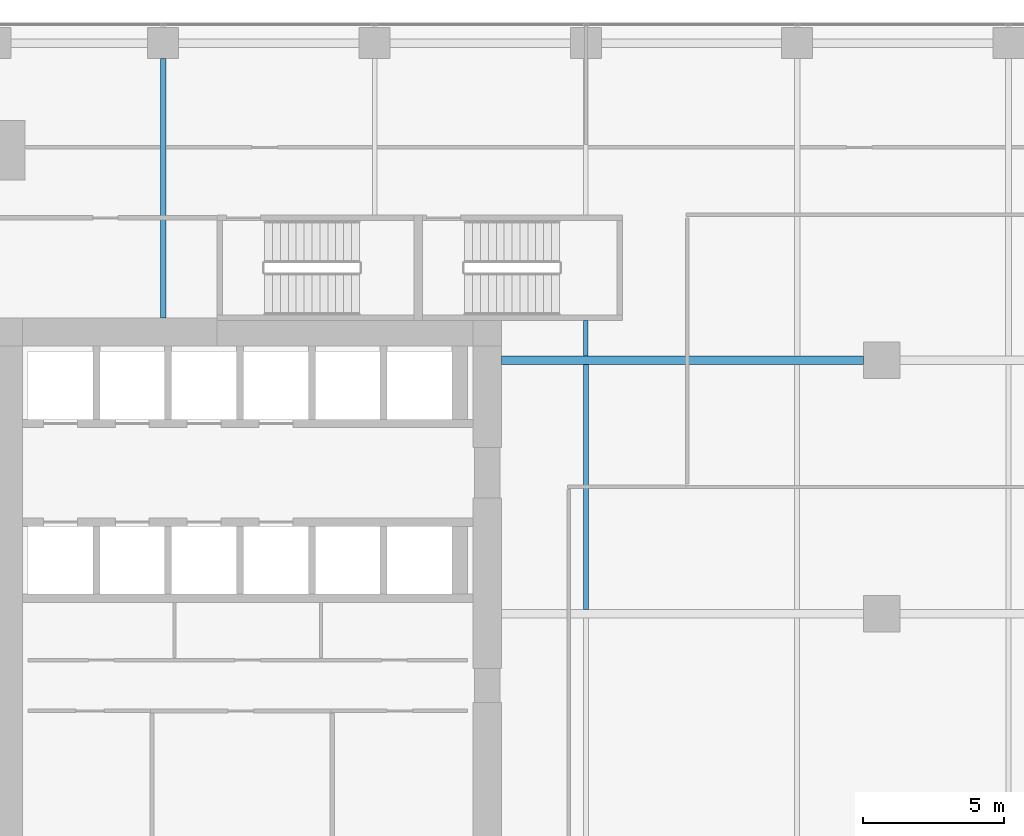
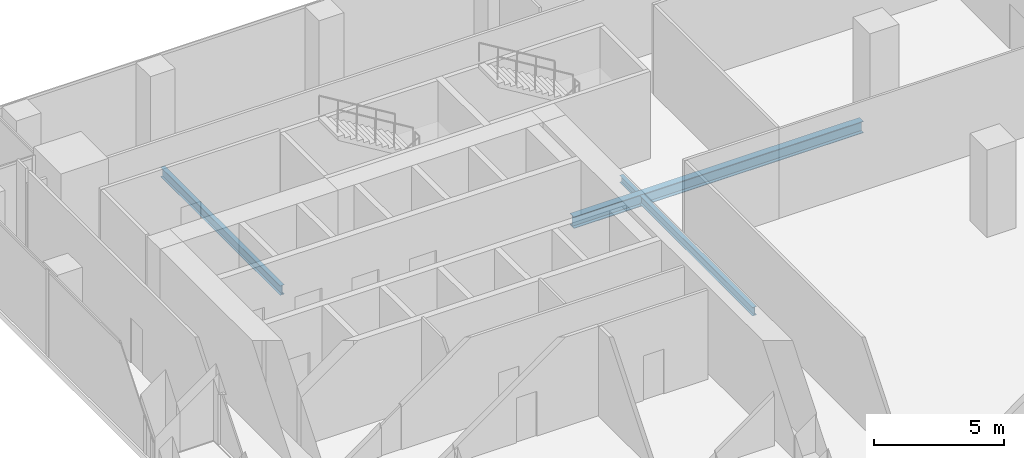
# One storey, part 15 of 35: 4 beams.
"""IFC4 building model written with IfcOpenShell, lengths in metres."""

from ifc_helpers import new_model, si_unit, direction, frame, origin, origin_2d, place, context, subcontext, project, spatial, i_section, extrude, source, transform, mapped, material, material_profile, profile_set, type_object, element, save


model = new_model("IFC4")

# Units and contexts
model_context = context("Model", 3, precision=1e-05, world=origin(), true_north=direction((0.0, 1.0)))
body_context = subcontext(model_context, "Body", "Model", "MODEL_VIEW")
ifc_project = project(units=[si_unit("LENGTHUNIT", "METRE"), si_unit("AREAUNIT", "SQUARE_METRE"), si_unit("VOLUMEUNIT", "CUBIC_METRE"), si_unit("PLANEANGLEUNIT", "RADIAN"), si_unit("MASSUNIT", "GRAM", prefix="KILO")], contexts=[model_context])

# Site, building, storey
site_placement = place(None, origin())
site = spatial("IfcSite", under=ifc_project, at=site_placement, CompositionType="ELEMENT")
building_placement = place(site_placement, origin())
building = spatial("IfcBuilding", under=site, at=building_placement, Name="Khomas Fold Tower", CompositionType="ELEMENT")
storey_placement = place(building_placement, frame((0.0, 0.0, 132.300048828125)))
storey = spatial("IfcBuildingStorey", under=building, at=storey_placement, Name="L28", CompositionType="ELEMENT", Elevation=132.300048828125)

# Beams
ifc_material_1 = material(Name="Steel S355", Category="steel")
ifc_material_profile_1 = material_profile(ifc_material_1, i_section(OverallWidth=0.179931640625, OverallDepth=0.39990234375, WebThickness=0.008544921875, FlangeThickness=0.013427734375, at=origin_2d()), Name="IPE 400")
ifc_profile_set_1 = profile_set([ifc_material_profile_1], Name="Steel S355")
beam_type_1 = type_object("IfcBeamType", Name="IPE 400 beam JB3", PredefinedType="BEAM", material=ifc_profile_set_1)
shared_shape_1 = source(origin(), body_context, "Body", "SweptSolid", [
    extrude(i_section(OverallWidth=0.179931640625, OverallDepth=0.39990234375, WebThickness=0.008544921875, FlangeThickness=0.013427734375, at=origin_2d()), origin(), (0.0, 0.0, 1.0), 8.7001953125),
])
beam_1_placement = place(storey_placement, frame((27.0, 31.64990234375, -0.5), z_axis=(0.0, 1.0, 0.0), x_axis=(-1.0, 0.0, 0.0)))
element("IfcBeam", 1, at=beam_1_placement, inside=storey, type_object=beam_type_1, Name="JB3", PredefinedType="BEAM", context=body_context, shape_type="MappedRepresentation", body=[
    mapped(shared_shape_1, transform((0.0, 0.0, 0.0))),
])
ifc_material_2 = material(Name="Steel S355", Category="steel")
ifc_material_profile_2 = material_profile(ifc_material_2, i_section(OverallWidth=0.159912109375, OverallDepth=0.330078125, WebThickness=0.007568359375, FlangeThickness=0.011474609375, at=origin_2d()), Name="IPE 330")
ifc_profile_set_2 = profile_set([ifc_material_profile_2], Name="Steel S355")
beam_type_2 = type_object("IfcBeamType", Name="IPE 330 beam JB1", PredefinedType="BEAM", material=ifc_profile_set_2)
shared_shape_2 = source(origin(), body_context, "Body", "SweptSolid", [
    extrude(i_section(OverallWidth=0.159912109375, OverallDepth=0.330078125, WebThickness=0.007568359375, FlangeThickness=0.011474609375, at=origin_2d()), origin(), (0.0, 0.0, 1.0), 1.25),
])
beam_2_placement = place(storey_placement, frame((27.0, 40.64990234375, -0.465087890625), z_axis=(0.0, 1.0, 0.0), x_axis=(-1.0, 0.0, 0.0)))
element("IfcBeam", 2, at=beam_2_placement, inside=storey, type_object=beam_type_2, Name="JB1", PredefinedType="BEAM", context=body_context, shape_type="MappedRepresentation", body=[
    mapped(shared_shape_2, transform((0.0, 0.0, 0.0))),
])
ifc_material_3 = material(Name="Steel S355", Category="steel")
ifc_material_profile_3 = material_profile(ifc_material_3, i_section(OverallWidth=0.300048828125, OverallDepth=0.550048828125, WebThickness=0.014892578125, FlangeThickness=0.029052734375, at=origin_2d()), Name="HE 550 B")
ifc_profile_set_3 = profile_set([ifc_material_profile_3], Name="Steel S355")
beam_type_3 = type_object("IfcBeamType", Name="HE 550 B beam GB4", PredefinedType="BEAM", material=ifc_profile_set_3)
shared_shape_3 = source(origin(), body_context, "Body", "SweptSolid", [
    extrude(i_section(OverallWidth=0.300048828125, OverallDepth=0.550048828125, WebThickness=0.014892578125, FlangeThickness=0.029052734375, at=origin_2d()), origin(), (0.0, 0.0, 1.0), 12.85009765625),
])
beam_3_placement = place(storey_placement, frame((24.0, 40.5, -0.574951171875), z_axis=(1.0, 0.0, 0.0), x_axis=(0.0, 1.0, 0.0)))
element("IfcBeam", 3, at=beam_3_placement, inside=storey, type_object=beam_type_3, Name="GB4", PredefinedType="BEAM", context=body_context, shape_type="MappedRepresentation", body=[
    mapped(shared_shape_3, transform((0.0, 0.0, 0.0))),
])
ifc_material_4 = material(Name="Steel S355", Category="steel")
ifc_material_profile_4 = material_profile(ifc_material_4, i_section(OverallWidth=0.18994140625, OverallDepth=0.449951171875, WebThickness=0.009521484375, FlangeThickness=0.0146484375, at=origin_2d()), Name="IPE 450")
ifc_profile_set_4 = profile_set([ifc_material_profile_4], Name="Steel S355")
beam_type_4 = type_object("IfcBeamType", Name="IPE 450 beam JB4", PredefinedType="BEAM", material=ifc_profile_set_4)
shared_shape_4 = source(origin(), body_context, "Body", "SweptSolid", [
    extrude(i_section(OverallWidth=0.18994140625, OverallDepth=0.449951171875, WebThickness=0.009521484375, FlangeThickness=0.0146484375, at=origin_2d()), origin(), (0.0, 0.0, 1.0), 9.199951171875),
])
beam_4_placement = place(storey_placement, frame((12.0, 42.0, -0.525146484375), z_axis=(0.0, 1.0, 0.0), x_axis=(-1.0, 0.0, 0.0)))
element("IfcBeam", 4, at=beam_4_placement, inside=storey, type_object=beam_type_4, Name="JB4", PredefinedType="BEAM", context=body_context, shape_type="MappedRepresentation", body=[
    mapped(shared_shape_4, transform((0.0, 0.0, 0.0))),
])

save(model, "model.ifc")
